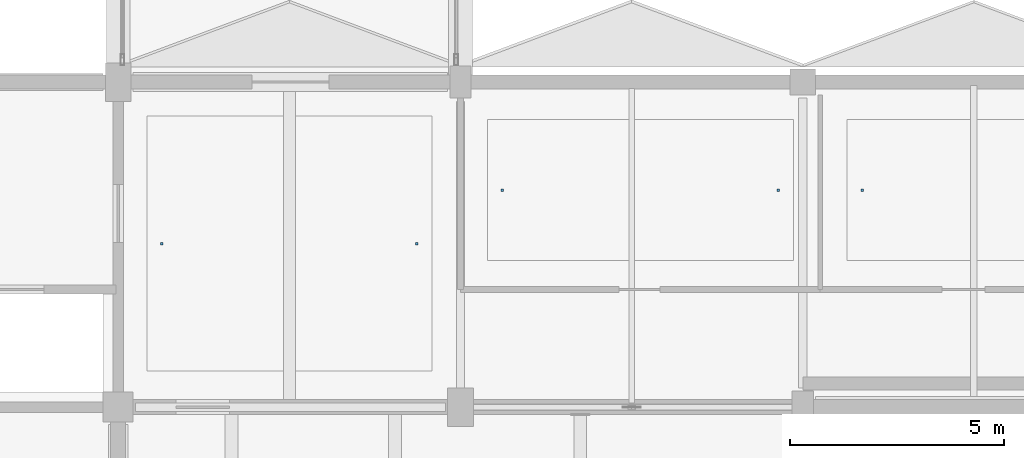
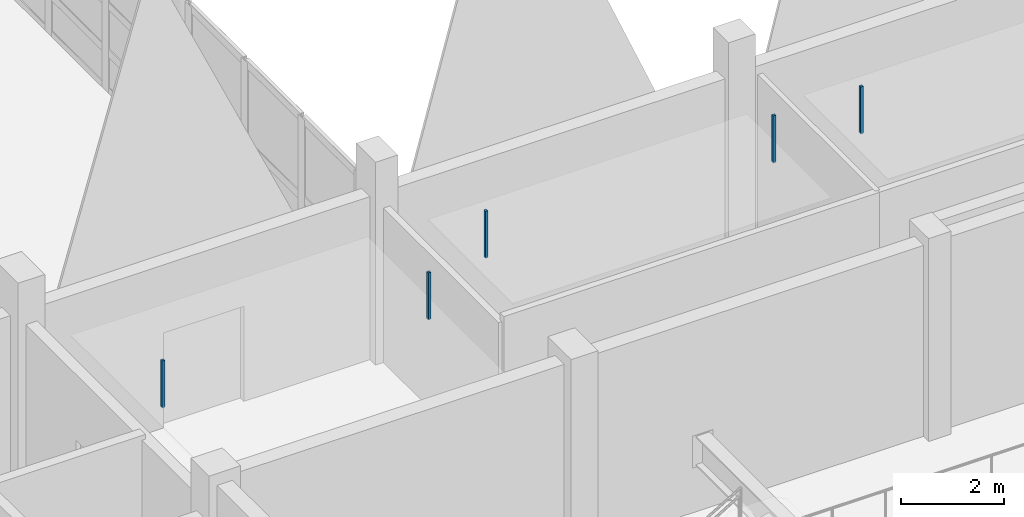
# One storey, part 101 of 141: 5 discrete accessories.
"""IFC4 building model written with IfcOpenShell, lengths in metres."""

from ifc_helpers import new_model, si_unit, direction, frame, origin, origin_2d, place, context, subcontext, project, spatial, rectangle, extrude, material, type_object, element, save


model = new_model("IFC4")

# Units and contexts
model_context = context("Model", 3, precision=1e-05, world=origin(), true_north=direction((0.0, 1.0)))
body_context = subcontext(model_context, "Body", "Model", "MODEL_VIEW")
ifc_project = project(units=[si_unit("LENGTHUNIT", "METRE"), si_unit("AREAUNIT", "SQUARE_METRE"), si_unit("VOLUMEUNIT", "CUBIC_METRE"), si_unit("PLANEANGLEUNIT", "RADIAN"), si_unit("MASSUNIT", "GRAM", prefix="KILO")], contexts=[model_context])

# Site, building, storey
site_placement = place(None, origin())
site = spatial("IfcSite", under=ifc_project, at=site_placement, CompositionType="ELEMENT")
building_placement = place(site_placement, origin())
building = spatial("IfcBuilding", under=site, at=building_placement, Name="Khelvaren Railside Concert Hall", CompositionType="ELEMENT")
storey_placement = place(building_placement, frame((0.0, 0.0, 10.199951171875)))
storey = spatial("IfcBuildingStorey", under=building, at=storey_placement, Name="L02", CompositionType="ELEMENT", Elevation=10.199951171875)

# Discrete accessories
ifc_material = material(Name="Galvanised steel acoustic ceiling hanger rod", Category="steel")
discrete_accessory_type = type_object("IfcDiscreteAccessoryType", Name="BRK62", PredefinedType="BRACKET", material=ifc_material)
for number, where, z_axis, x_axis, name in (
    (1, (9.02001953125, 41.824951171875, 3.43017578125), (0.0, 0.0, 1.0), (1.0, 0.0, 0.0), "Acoustic Ceiling Suspension Bracket 23-1"),
    (2, (14.97998046875, 41.824951171875, 3.43017578125), (0.0, 0.0, 1.0), (1.0, 0.0, 0.0), "Acoustic Ceiling Suspension Bracket 23-2"),
    (3, (16.97998046875, 43.074951171875, 3.43017578125), (0.0, 0.0, 1.0), (1.0, 0.0, 0.0), "Acoustic Ceiling Suspension Bracket 24-1"),
    (4, (23.427001953125, 43.074951171875, 3.43017578125), (0.0, 0.0, 1.0), (1.0, 0.0, 0.0), "Acoustic Ceiling Suspension Bracket 24-2"),
    (5, (25.386962890625, 43.074951171875, 3.43017578125), (0.0, 0.0, 1.0), (1.0, 0.0, 0.0), "Acoustic Ceiling Suspension Bracket 25-1"),
):
    element("IfcDiscreteAccessory", number, at=place(storey_placement, frame(where, z_axis=z_axis, x_axis=x_axis)), inside=storey, type_object=discrete_accessory_type, Name=name, PredefinedType="BRACKET", context=body_context, shape_type="SweptSolid", body=[
        extrude(rectangle(XDim=0.06005859375, YDim=0.06005859375, at=origin_2d()), origin(), (0.0, 0.0, 1.0), 1.110107421875),
    ])

save(model, "model.ifc")
